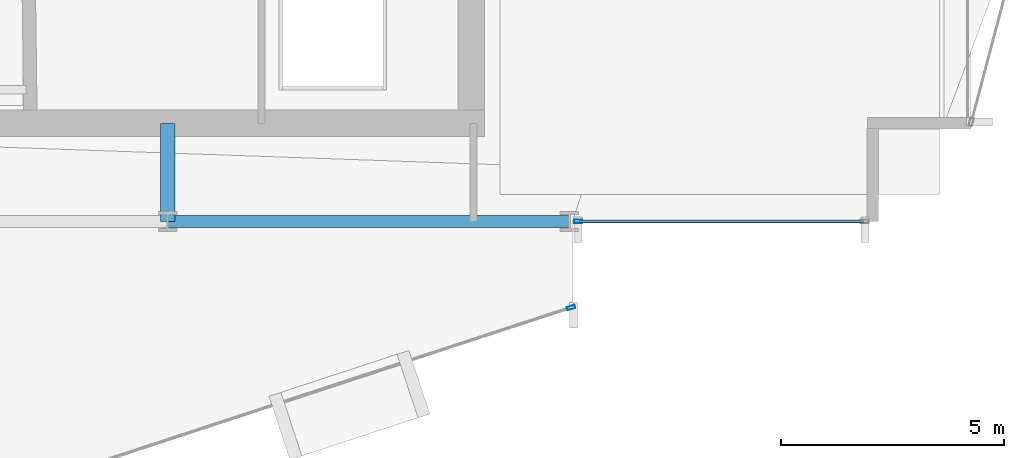
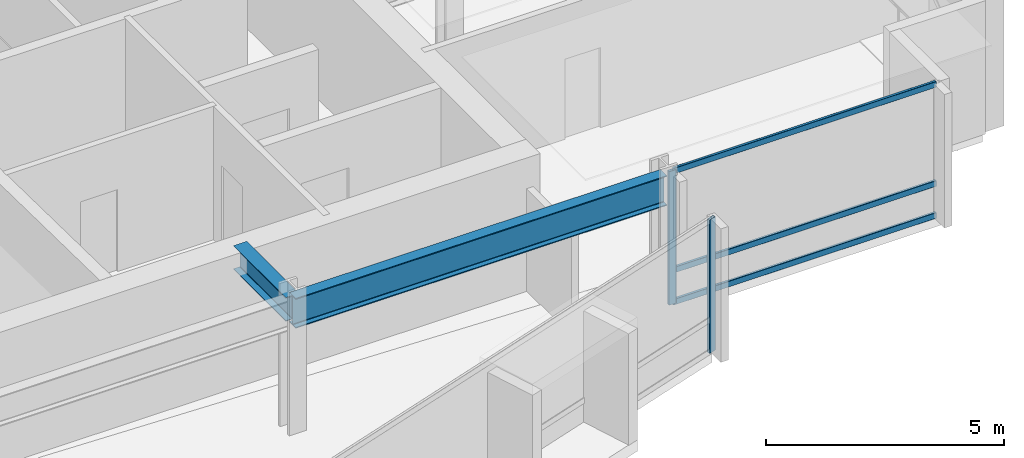
# One storey, part 10 of 29: 5 members, 2 beams, 2 elements without a shape of their own.
"""IFC4 building model written with IfcOpenShell, lengths in metres."""

from ifc_helpers import new_model, si_unit, direction, frame, origin, origin_2d, place, context, subcontext, project, spatial, hollow_rectangle, i_section, extrude, material, layer, layer_set, material_profile, profile_set, type_object, element, aggregate, save


model = new_model("IFC4")

# Units and contexts
model_context = context("Model", 3, precision=1e-05, world=origin(), true_north=direction((0.0, 1.0)))
body_context = subcontext(model_context, "Body", "Model", "MODEL_VIEW")
ifc_project = project(units=[si_unit("LENGTHUNIT", "METRE"), si_unit("AREAUNIT", "SQUARE_METRE"), si_unit("VOLUMEUNIT", "CUBIC_METRE"), si_unit("PLANEANGLEUNIT", "RADIAN"), si_unit("MASSUNIT", "GRAM", prefix="KILO")], contexts=[model_context])

# Site, building, storey
site_placement = place(None, origin())
site = spatial("IfcSite", under=ifc_project, at=site_placement, CompositionType="ELEMENT")
building_placement = place(site_placement, origin())
building = spatial("IfcBuilding", under=site, at=building_placement, Name="Solvaryn Broadcast Tower", CompositionType="ELEMENT")
storey_placement = place(building_placement, frame((0.0, 0.0, 113.699951171875)))
storey = spatial("IfcBuildingStorey", under=building, at=storey_placement, Name="L27", CompositionType="ELEMENT", Elevation=113.699951171875)

# Beams
ifc_material_1 = material(Name="Steel ASTM A992 Grade 50", Category="steel")
ifc_material_profile_1 = material_profile(ifc_material_1, i_section(OverallWidth=0.323974609375, OverallDepth=0.611083984375, WebThickness=0.0126953125, FlangeThickness=0.01904296875, FilletRadius=0.014892578125, at=origin_2d()))
ifc_profile_set_1 = profile_set([ifc_material_profile_1], Name="Steel ASTM A992 Grade 50")
beam_type_1 = type_object("IfcBeamType", Name="BM-B1-W24X104", PredefinedType="BEAM", material=ifc_profile_set_1)
beam_1_placement = place(storey_placement, frame((36.0, 9.0, 3.114501953125), z_axis=(0.0, 1.0, 0.0), x_axis=(-1.0, 0.0, 0.0)))
element("IfcBeam", 1, at=beam_1_placement, inside=storey, type_object=beam_type_1, Name="L27 Core Tie Beam CTE1", PredefinedType="BEAM", context=body_context, shape_type="SweptSolid", body=[
    extrude(i_section(OverallWidth=0.323974609375, OverallDepth=0.611083984375, WebThickness=0.0126953125, FlangeThickness=0.01904296875, FilletRadius=0.014892578125, at=origin_2d()), origin(), (0.0, 0.0, 1.0), 2.199951171875),
])
ifc_material_2 = material(Name="Steel ASTM A992 Grade 50", Category="steel")
ifc_material_profile_2 = material_profile(ifc_material_2, i_section(OverallWidth=0.26708984375, OverallDepth=0.76611328125, WebThickness=0.014892578125, FlangeThickness=0.023681640625, FilletRadius=0.01806640625, at=origin_2d()))
ifc_profile_set_2 = profile_set([ifc_material_profile_2], Name="Steel ASTM A992 Grade 50")
beam_type_2 = type_object("IfcBeamType", Name="BM-SP2-W30X124", PredefinedType="USERDEFINED", material=ifc_profile_set_2)
beam_2_placement = place(storey_placement, frame((36.0, 9.0, 3.037109375), z_axis=(1.0, 0.0, 0.0), x_axis=(0.0, 1.0, 0.0)))
element("IfcBeam", 2, at=beam_2_placement, inside=storey, type_object=beam_type_2, Name="L27 Spandrel Beam X (36-45 @ Y=9)", ObjectType="SPANDREL", PredefinedType="USERDEFINED", context=body_context, shape_type="SweptSolid", body=[
    extrude(i_section(OverallWidth=0.26708984375, OverallDepth=0.76611328125, WebThickness=0.014892578125, FlangeThickness=0.023681640625, FilletRadius=0.01806640625, at=origin_2d()), origin(), (0.0, 0.0, 1.0), 9.0),
])

# Curtain wall, member
ifc_material_3 = material(Name="Aluminium and Terracotta Unitised Curtain Wall", Category="masonry")
ifc_layer = layer(ifc_material_3, 0.199951171875)
ifc_layer_set = layer_set([ifc_layer], Name="CW-SYS2-LOWMID")
curtain_wall_type = type_object("IfcCurtainWallType", Name="CW-SYS2-LOWMID", PredefinedType="NOTDEFINED", material=ifc_layer_set)
curtain_wall_1_placement = place(storey_placement, origin())
curtain_wall_1 = element("IfcCurtainWall", 3, at=curtain_wall_1_placement, inside=storey, type_object=curtain_wall_type, Name="L27 Curtain Wall DR4", PredefinedType="NOTDEFINED")
ifc_material_4 = material(Name="Anodised Aluminium 6063-T6", Category="aluminium")
ifc_material_profile_3 = material_profile(ifc_material_4, hollow_rectangle(XDim=0.074951171875, YDim=0.179931640625, WallThickness=0.00390625, InnerFilletRadius=0.00390625, OuterFilletRadius=0.008056640625, at=origin_2d()))
ifc_profile_set_3 = profile_set([ifc_material_profile_3], Name="Anodised Aluminium 6063-T6")
member_type_1 = type_object("IfcMemberType", Name="CW-MUL-180", PredefinedType="MULLION", material=ifc_profile_set_3)
member_1_placement = place(storey_placement, frame((45.03857421875, 7.069580078125, 0.0), z_axis=(0.0, 0.0, 1.0), x_axis=(-0.311646057547, 0.950198260794, 0.0)))
member_1 = element("IfcMember", 4, at=member_1_placement, type_object=member_type_1, Name="CWS2 mullion 2", PredefinedType="MULLION", context=body_context, shape_type="SweptSolid", body=[
    extrude(hollow_rectangle(XDim=0.074951171875, YDim=0.179931640625, WallThickness=0.00390625, InnerFilletRadius=0.00390625, OuterFilletRadius=0.008056640625, at=origin_2d()), origin(), (0.0, 0.0, 1.0), 3.420166015625),
])
aggregate(curtain_wall_1, [member_1])

# Curtain wall, members
curtain_wall_2_placement = place(storey_placement, origin())
curtain_wall_2 = element("IfcCurtainWall", 5, at=curtain_wall_2_placement, inside=storey, type_object=curtain_wall_type, Name="L27 Curtain Wall S2", PredefinedType="NOTDEFINED")
member_2_placement = place(storey_placement, frame((45.197021484375, 9.0, 0.0), z_axis=(0.0, 0.0, 1.0), x_axis=(0.0, 1.0, 0.0)))
member_2 = element("IfcMember", 6, at=member_2_placement, type_object=member_type_1, Name="CWS2 mullion 1", PredefinedType="MULLION", context=body_context, shape_type="SweptSolid", body=[
    extrude(hollow_rectangle(XDim=0.074951171875, YDim=0.179931640625, WallThickness=0.00390625, InnerFilletRadius=0.00390625, OuterFilletRadius=0.008056640625, at=origin_2d()), origin(), (0.0, 0.0, 1.0), 3.420166015625),
])
ifc_material_5 = material(Name="Anodised Aluminium 6063-T6", Category="aluminium")
ifc_material_profile_4 = material_profile(ifc_material_5, hollow_rectangle(XDim=0.06494140625, YDim=0.14990234375, WallThickness=0.00390625, InnerFilletRadius=0.00390625, OuterFilletRadius=0.008056640625, at=origin_2d()))
ifc_profile_set_4 = profile_set([ifc_material_profile_4], Name="Anodised Aluminium 6063-T6")
member_type_2 = type_object("IfcMemberType", Name="CW-TRN-150", PredefinedType="USERDEFINED", material=ifc_profile_set_4)
member_3_placement = place(storey_placement, frame((45.22705078125, 9.0, 0.030029296875), z_axis=(1.0, 0.0, 0.0), x_axis=(0.0, 1.0, 0.0)))
member_3 = element("IfcMember", 7, at=member_3_placement, type_object=member_type_2, Name="CWS2 transom 1.1", ObjectType="TRANSOM", PredefinedType="USERDEFINED", context=body_context, shape_type="SweptSolid", body=[
    extrude(hollow_rectangle(XDim=0.06494140625, YDim=0.14990234375, WallThickness=0.00390625, InnerFilletRadius=0.00390625, OuterFilletRadius=0.008056640625, at=origin_2d()), origin(), (0.0, 0.0, 1.0), 6.363037109375),
])
member_4_placement = place(storey_placement, frame((45.22705078125, 9.0, 0.85009765625), z_axis=(1.0, 0.0, 0.0), x_axis=(0.0, 1.0, 0.0)))
member_4 = element("IfcMember", 8, at=member_4_placement, type_object=member_type_2, Name="CWS2 transom 1.2", ObjectType="TRANSOM", PredefinedType="USERDEFINED", context=body_context, shape_type="SweptSolid", body=[
    extrude(hollow_rectangle(XDim=0.06494140625, YDim=0.14990234375, WallThickness=0.00390625, InnerFilletRadius=0.00390625, OuterFilletRadius=0.008056640625, at=origin_2d()), origin(), (0.0, 0.0, 1.0), 6.363037109375),
])
member_5_placement = place(storey_placement, frame((45.22705078125, 9.0, 3.39013671875), z_axis=(1.0, 0.0, 0.0), x_axis=(0.0, 1.0, 0.0)))
member_5 = element("IfcMember", 9, at=member_5_placement, type_object=member_type_2, Name="CWS2 transom 1.3", ObjectType="TRANSOM", PredefinedType="USERDEFINED", context=body_context, shape_type="SweptSolid", body=[
    extrude(hollow_rectangle(XDim=0.06494140625, YDim=0.14990234375, WallThickness=0.00390625, InnerFilletRadius=0.00390625, OuterFilletRadius=0.008056640625, at=origin_2d()), origin(), (0.0, 0.0, 1.0), 6.363037109375),
])
aggregate(curtain_wall_2, [member_2, member_3, member_4, member_5])

save(model, "model.ifc")
